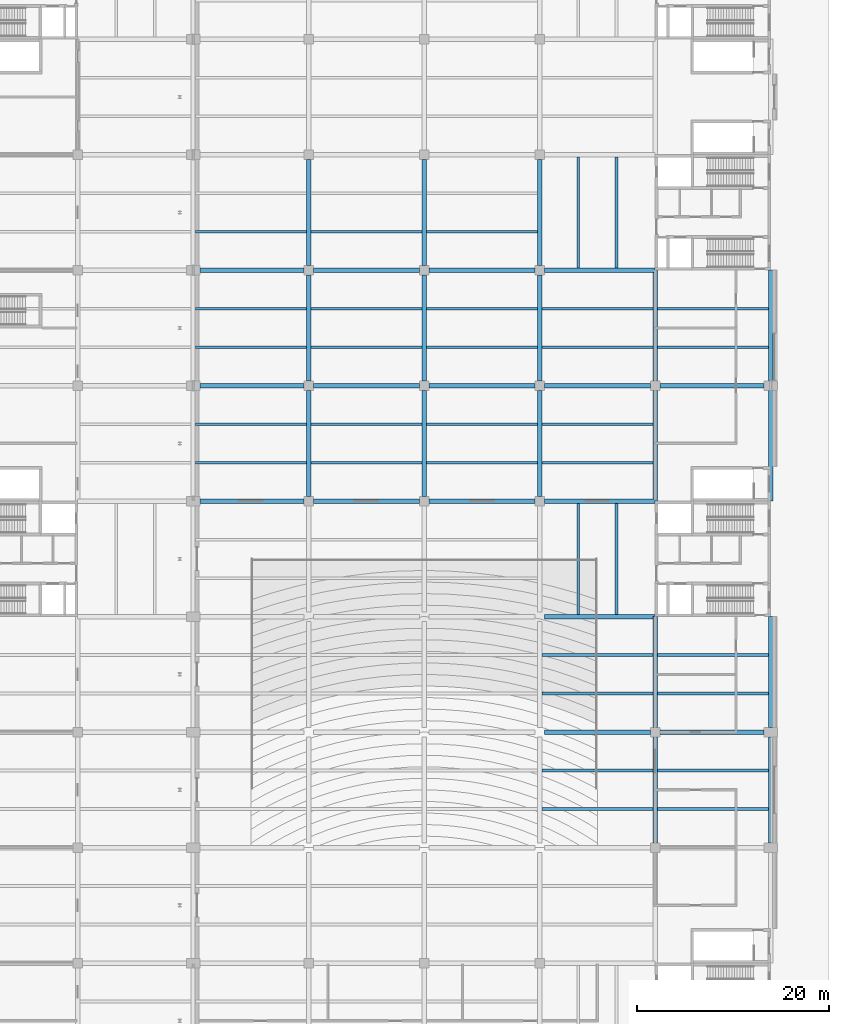
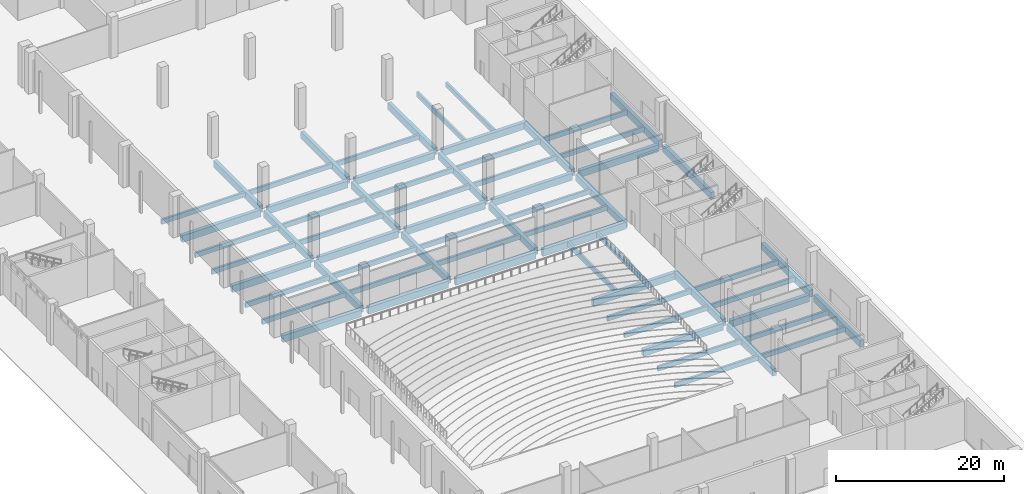
# One storey, part 17 of 59: 66 beams.
"""IFC4 building model written with IfcOpenShell, lengths in metres."""

import ifcopenshell
import ifcopenshell.guid

model = None  # the IFC model being written
_history = None  # IfcOwnerHistory: only IFC2X3 demands one
_inside = {}  # id of a spatial element -> (the spatial element, [elements in it])
_under = {}  # id of a project, library or spatial element -> (it, [spatial elements below it])
_declared = {}  # id of a project -> (the project, [libraries it declares])
_typed = {}  # id of a type object -> (the type object, [elements of that type])
_made_of = {}  # id of a material, layer set ... -> (it, [elements and type objects made of it])


def new_model(schema):
    """Start an empty IFC model of exactly this schema.

    Asked for "IFC4X3", IfcOpenShell would pick the latest addendum, in which some entities
    have other attributes; the version numbers below select the first issue.
    IFC2X3 requires an IfcOwnerHistory on every rooted entity: one is made here for all.
    """
    global model, _history
    if schema == "IFC4X3":
        model = ifcopenshell.file(schema_version=(4, 3, 0, 0))
    else:
        model = ifcopenshell.file(schema=schema)
    _inside.clear()
    _under.clear()
    _declared.clear()
    _typed.clear()
    _made_of.clear()
    _history = None
    if model.schema == "IFC2X3":
        org = make("IfcOrganization", Name="unknown")
        user = make(
            "IfcPersonAndOrganization",
            ThePerson=make("IfcPerson", FamilyName="unknown"),
            TheOrganization=org,
        )
        app = make(
            "IfcApplication",
            ApplicationDeveloper=org,
            Version="unknown",
            ApplicationFullName="unknown",
            ApplicationIdentifier="unknown",
        )
        _history = make(
            "IfcOwnerHistory",
            OwningUser=user,
            OwningApplication=app,
            ChangeAction="ADDED",
            CreationDate=0,
        )
    return model


def make(cls, **values):
    """One entity of the class cls with the attributes given. An attribute that is None is left unset."""
    return model.create_entity(
        cls, **{name: value for name, value in values.items() if value is not None}
    )


def rooted(cls, **values):
    """An entity with a GlobalId (a new one), such as an element, a storey or a relation."""
    return make(cls, GlobalId=ifcopenshell.guid.new(), OwnerHistory=_history, **values)


def si_unit(unit_type, name, prefix=None):
    """IfcSIUnit, for example si_unit("LENGTHUNIT", "METRE", prefix="MILLI")."""
    return make("IfcSIUnit", UnitType=unit_type, Prefix=prefix, Name=name)


def assignment(units):
    """IfcUnitAssignment: the units of a project."""
    return None if units is None else make("IfcUnitAssignment", Units=units)


def point(xyz):
    """IfcCartesianPoint."""
    return None if xyz is None else make("IfcCartesianPoint", Coordinates=xyz)


def direction(xyz):
    """IfcDirection."""
    return None if xyz is None else make("IfcDirection", DirectionRatios=xyz)


def frame(location, z_axis=None, x_axis=None):
    """IfcAxis2Placement3D, a coordinate frame: its origin and axes. An axis left out is left unset."""
    return make(
        "IfcAxis2Placement3D",
        Location=point(location),
        Axis=direction(z_axis),
        RefDirection=direction(x_axis),
    )


def frame_2d(location, x_axis=None):
    """IfcAxis2Placement2D, a coordinate frame in the plane: its origin and x axis."""
    return make(
        "IfcAxis2Placement2D", Location=point(location), RefDirection=direction(x_axis)
    )


def origin():
    """The frame at (0, 0, 0) with its axes left unset."""
    return frame((0.0, 0.0, 0.0))


def origin_2d():
    """The frame at (0, 0) in the plane with its x axis left unset."""
    return frame_2d((0.0, 0.0))


def place(relative_to, where):
    """IfcLocalPlacement: puts the frame where relative to a parent placement (None: the world)."""
    return make(
        "IfcLocalPlacement", PlacementRelTo=relative_to, RelativePlacement=where
    )


def context(
    kind, dimensions, precision=None, world=None, true_north=None, identifier=None
):
    """IfcGeometricRepresentationContext, for example the 3D "Model" context."""
    return make(
        "IfcGeometricRepresentationContext",
        ContextIdentifier=identifier,
        ContextType=kind,
        CoordinateSpaceDimension=dimensions,
        Precision=precision,
        WorldCoordinateSystem=world,
        TrueNorth=true_north,
    )


def subcontext(parent, identifier, kind, view, scale=None):
    """IfcGeometricRepresentationSubContext, for example "Body" below "Model"."""
    return make(
        "IfcGeometricRepresentationSubContext",
        ContextIdentifier=identifier,
        ContextType=kind,
        ParentContext=parent,
        TargetScale=scale,
        TargetView=view,
    )


def project(units=None, contexts=None):
    """IfcProject with its units and contexts."""
    return rooted(
        "IfcProject",
        Name="project",
        RepresentationContexts=contexts,
        UnitsInContext=assignment(units),
    )


def spatial(cls, under=None, at=None, **own):
    """A site, building, storey or space (cls), placed at a placement, below another one or the project."""
    s = rooted(cls, ObjectPlacement=at, **own)
    if under is not None:
        _under.setdefault(under.id(), (under, []))[1].append(s)
    return s


def profile(cls, at=None, kind="AREA", **sizes):
    """A parametric profile (cls). Its sizes go by their IFC names, for example OverallWidth=200.0."""
    return make(cls, ProfileType=kind, Position=at, **sizes)


def rectangle(**sizes):
    """IfcRectangleProfileDef."""
    return profile("IfcRectangleProfileDef", **sizes)


def extrude(swept, where, along, depth):
    """IfcExtrudedAreaSolid: the profile swept, set in the frame where, extruded along a direction by depth."""
    return make(
        "IfcExtrudedAreaSolid",
        SweptArea=swept,
        Position=where,
        ExtrudedDirection=direction(along),
        Depth=depth,
    )


def shape(context_of_items, identifier, shape_type, items):
    """IfcShapeRepresentation: the items that make up one representation, for example the "Body"."""
    return make(
        "IfcShapeRepresentation",
        ContextOfItems=context_of_items,
        RepresentationIdentifier=identifier,
        RepresentationType=shape_type,
        Items=items,
    )


def material(Name=None, Category=None):
    """IfcMaterial."""
    return make("IfcMaterial", Name=Name, Category=Category)


def material_profile(
    of_material, cross_section, Name=None, Category=None, Priority=None
):
    """IfcMaterialProfile: a cross section and its material."""
    return make(
        "IfcMaterialProfile",
        Name=Name,
        Material=of_material,
        Profile=cross_section,
        Priority=Priority,
        Category=Category,
    )


def profile_set(profiles, Name=None, composite=None):
    """IfcMaterialProfileSet."""
    return make(
        "IfcMaterialProfileSet",
        Name=Name,
        MaterialProfiles=profiles,
        CompositeProfile=composite,
    )


def made_of(thing, what):
    """Note that an element or type object is made of a material, layer set ...; save() writes the relation."""
    if what is not None:
        _made_of.setdefault(what.id(), (what, []))[1].append(thing)
    return thing


def type_object(cls, material=None, **own):
    """A type object (cls), such as IfcWallType, which elements share."""
    return made_of(rooted(cls, **own), material)


def element(
    cls,
    number,
    at=None,
    inside=None,
    cuts=None,
    type_object=None,
    material=None,
    context=None,
    identifier="Body",
    shape_type=None,
    held_by="IfcProductDefinitionShape",
    body=None,
    shapes=None,
    **own,
):
    """One element of the class cls, such as IfcWall. Its Tag is "e" and its number.

    at: its placement. inside: the storey or other place that contains it. cuts: it is an
    opening in that element (IfcRelVoidsElement). A single representation is given by context,
    identifier, shape_type and body (its items); several are given by shapes. held_by: the class
    of the entity that holds the representations. save() writes the other relations.
    """
    e = rooted(cls, Tag="e%d" % number, ObjectPlacement=at, **own)
    if body is not None:
        shapes = [shape(context, identifier, shape_type, body)]
    if shapes is not None:
        e.Representation = make(held_by, Representations=shapes)
    if inside is not None:
        _inside.setdefault(inside.id(), (inside, []))[1].append(e)
    if cuts is not None:
        rooted(
            "IfcRelVoidsElement", RelatingBuildingElement=cuts, RelatedOpeningElement=e
        )
    if type_object is not None:
        _typed.setdefault(type_object.id(), (type_object, []))[1].append(e)
    return made_of(e, material)


def aggregate(whole, parts):
    """IfcRelAggregates: a whole, such as a stair, and the parts it consists of."""
    return rooted("IfcRelAggregates", RelatingObject=whole, RelatedObjects=parts)


def save(model, path):
    """Write the relations noted so far, then the file.

    IfcRelAggregates (storeys below a building ...), IfcRelContainedInSpatialStructure (elements
    in a storey), IfcRelDefinesByType, IfcRelAssociatesMaterial and IfcRelDeclares: one each for
    every whole, place, type object, material and project.
    """
    for whole, parts in _under.values():
        aggregate(whole, parts)
    for where, things in _inside.values():
        rooted(
            "IfcRelContainedInSpatialStructure",
            RelatedElements=things,
            RelatingStructure=where,
        )
    for kind, things in _typed.values():
        rooted("IfcRelDefinesByType", RelatedObjects=things, RelatingType=kind)
    for what, things in _made_of.values():
        rooted("IfcRelAssociatesMaterial", RelatedObjects=things, RelatingMaterial=what)
    for by, libraries in _declared.values():
        rooted("IfcRelDeclares", RelatingContext=by, RelatedDefinitions=libraries)
    model.write(path)


model = new_model("IFC4")

# Units and contexts
model_context = context("Model", 3, precision=1e-05, world=origin(), true_north=direction((0.0, 1.0)))
body_context = subcontext(model_context, "Body", "Model", "MODEL_VIEW")
ifc_project = project(units=[si_unit("LENGTHUNIT", "METRE"), si_unit("AREAUNIT", "SQUARE_METRE"), si_unit("VOLUMEUNIT", "CUBIC_METRE"), si_unit("PLANEANGLEUNIT", "RADIAN"), si_unit("MASSUNIT", "GRAM", prefix="KILO")], contexts=[model_context])

# Site, building, storey
site_placement = place(None, origin())
site = spatial("IfcSite", under=ifc_project, at=site_placement, CompositionType="ELEMENT")
building_placement = place(site_placement, origin())
building = spatial("IfcBuilding", under=site, at=building_placement, Name="Lilac Gate Convention Centre", CompositionType="ELEMENT")
storey_placement = place(building_placement, origin())
storey = spatial("IfcBuildingStorey", under=building, at=storey_placement, Name="L00", CompositionType="ELEMENT", Elevation=0.0)

# Beams
ifc_material = material(Name="Concrete C40", Category="concrete")
ifc_material_profile_1 = material_profile(ifc_material, rectangle(XDim=0.5, YDim=1.0, at=origin_2d()), Name="RC 500x1000")
ifc_profile_set_1 = profile_set([ifc_material_profile_1], Name="Concrete C40")
beam_type_1 = type_object("IfcBeamType", Name="Primary beam 500x1000 C40", PredefinedType="BEAM", material=ifc_profile_set_1)
beam_1_placement = place(storey_placement, frame((66.5, 138.0, -0.800048828125), z_axis=(1.0, 0.0, 0.0), x_axis=(0.0, 1.0, 0.0)))
element("IfcBeam", 1, at=beam_1_placement, inside=storey, type_object=beam_type_1, Name="RB1 L00 6/K-7/K", PredefinedType="BEAM", context=body_context, shape_type="SweptSolid", body=[
    extrude(rectangle(XDim=0.5, YDim=1.0, at=origin_2d()), origin(), (0.0, 0.0, 1.0), 11.0),
])
beam_2_placement = place(storey_placement, frame((78.5, 138.0, -0.800048828125), z_axis=(1.0, 0.0, 0.0), x_axis=(0.0, 1.0, 0.0)))
element("IfcBeam", 2, at=beam_2_placement, inside=storey, type_object=beam_type_1, Name="RB1 L00 7/K-8/K", PredefinedType="BEAM", context=body_context, shape_type="SweptSolid", body=[
    extrude(rectangle(XDim=0.5, YDim=1.0, at=origin_2d()), origin(), (0.0, 0.0, 1.0), 10.800048828125),
])
beam_3_placement = place(storey_placement, frame((66.5, 150.0, -0.800048828125), z_axis=(1.0, 0.0, 0.0), x_axis=(0.0, 1.0, 0.0)))
element("IfcBeam", 3, at=beam_3_placement, inside=storey, type_object=beam_type_1, Name="RB1 L00 6/L-7/L", PredefinedType="BEAM", context=body_context, shape_type="SweptSolid", body=[
    extrude(rectangle(XDim=0.5, YDim=1.0, at=origin_2d()), origin(), (0.0, 0.0, 1.0), 11.5),
])
beam_4_placement = place(storey_placement, frame((30.699951171875, 162.0, -0.800048828125), z_axis=(1.0, 0.0, 0.0), x_axis=(0.0, 1.0, 0.0)))
element("IfcBeam", 4, at=beam_4_placement, inside=storey, type_object=beam_type_1, Name="RB1 L00 3/M-4/M", PredefinedType="BEAM", context=body_context, shape_type="SweptSolid", body=[
    extrude(rectangle(XDim=0.5, YDim=1.0, at=origin_2d()), origin(), (0.0, 0.0, 1.0), 10.800048828125),
])
for number, where, z_axis, x_axis, name in (
    (5, (42.5, 162.0, -0.800048828125), (1.0, 0.0, 0.0), (0.0, 1.0, 0.0), "RB1 L00 4/M-5/M"),
    (6, (54.5, 162.0, -0.800048828125), (1.0, 0.0, 0.0), (0.0, 1.0, 0.0), "RB1 L00 5/M-6/M"),
):
    element("IfcBeam", number, at=place(storey_placement, frame(where, z_axis=z_axis, x_axis=x_axis)), inside=storey, type_object=beam_type_1, Name=name, PredefinedType="BEAM", context=body_context, shape_type="SweptSolid", body=[
        extrude(rectangle(XDim=0.5, YDim=1.0, at=origin_2d()), origin(), (0.0, 0.0, 1.0), 11.0),
    ])
beam_5_placement = place(storey_placement, frame((66.5, 162.0, -0.800048828125), z_axis=(1.0, 0.0, 0.0), x_axis=(0.0, 1.0, 0.0)))
element("IfcBeam", 7, at=beam_5_placement, inside=storey, type_object=beam_type_1, Name="RB1 L00 6/M-7/M", PredefinedType="BEAM", context=body_context, shape_type="SweptSolid", body=[
    extrude(rectangle(XDim=0.5, YDim=1.0, at=origin_2d()), origin(), (0.0, 0.0, 1.0), 11.5),
])
beam_6_placement = place(storey_placement, frame((30.699951171875, 174.0, -0.800048828125), z_axis=(1.0, 0.0, 0.0), x_axis=(0.0, 1.0, 0.0)))
element("IfcBeam", 8, at=beam_6_placement, inside=storey, type_object=beam_type_1, Name="RB1 L00 3/N-4/N", PredefinedType="BEAM", context=body_context, shape_type="SweptSolid", body=[
    extrude(rectangle(XDim=0.5, YDim=1.0, at=origin_2d()), origin(), (0.0, 0.0, 1.0), 10.800048828125),
])
for number, where, z_axis, x_axis, name in (
    (9, (42.5, 174.0, -0.800048828125), (1.0, 0.0, 0.0), (0.0, 1.0, 0.0), "RB1 L00 4/N-5/N"),
    (10, (54.5, 174.0, -0.800048828125), (1.0, 0.0, 0.0), (0.0, 1.0, 0.0), "RB1 L00 5/N-6/N"),
    (11, (66.5, 174.0, -0.800048828125), (1.0, 0.0, 0.0), (0.0, 1.0, 0.0), "RB1 L00 6/N-7/N"),
):
    element("IfcBeam", number, at=place(storey_placement, frame(where, z_axis=z_axis, x_axis=x_axis)), inside=storey, type_object=beam_type_1, Name=name, PredefinedType="BEAM", context=body_context, shape_type="SweptSolid", body=[
        extrude(rectangle(XDim=0.5, YDim=1.0, at=origin_2d()), origin(), (0.0, 0.0, 1.0), 11.0),
    ])
for number, where, z_axis, x_axis, name in (
    (12, (78.5, 174.0, -0.800048828125), (1.0, 0.0, 0.0), (0.0, 1.0, 0.0), "RB1 L00 7/N-8/N"),
    (13, (30.699951171875, 186.0, -0.800048828125), (1.0, 0.0, 0.0), (0.0, 1.0, 0.0), "RB1 L00 3/P-4/P"),
):
    element("IfcBeam", number, at=place(storey_placement, frame(where, z_axis=z_axis, x_axis=x_axis)), inside=storey, type_object=beam_type_1, Name=name, PredefinedType="BEAM", context=body_context, shape_type="SweptSolid", body=[
        extrude(rectangle(XDim=0.5, YDim=1.0, at=origin_2d()), origin(), (0.0, 0.0, 1.0), 10.800048828125),
    ])
for number, where, z_axis, x_axis, name in (
    (14, (42.5, 186.0, -0.800048828125), (1.0, 0.0, 0.0), (0.0, 1.0, 0.0), "RB1 L00 4/P-5/P"),
    (15, (54.5, 186.0, -0.800048828125), (1.0, 0.0, 0.0), (0.0, 1.0, 0.0), "RB1 L00 5/P-6/P"),
):
    element("IfcBeam", number, at=place(storey_placement, frame(where, z_axis=z_axis, x_axis=x_axis)), inside=storey, type_object=beam_type_1, Name=name, PredefinedType="BEAM", context=body_context, shape_type="SweptSolid", body=[
        extrude(rectangle(XDim=0.5, YDim=1.0, at=origin_2d()), origin(), (0.0, 0.0, 1.0), 11.0),
    ])
beam_7_placement = place(storey_placement, frame((66.5, 186.0, -0.800048828125), z_axis=(1.0, 0.0, 0.0), x_axis=(0.0, 1.0, 0.0)))
element("IfcBeam", 16, at=beam_7_placement, inside=storey, type_object=beam_type_1, Name="RB1 L00 6/P-7/P", PredefinedType="BEAM", context=body_context, shape_type="SweptSolid", body=[
    extrude(rectangle(XDim=0.5, YDim=1.0, at=origin_2d()), origin(), (0.0, 0.0, 1.0), 11.5),
])
for number, where, z_axis, x_axis, name in (
    (17, (42.0, 162.5, -0.800048828125), (0.0, 1.0, 0.0), (-1.0, 0.0, 0.0), "RB1 L00 4/M-4/N"),
    (18, (42.0, 174.5, -0.800048828125), (0.0, 1.0, 0.0), (-1.0, 0.0, 0.0), "RB1 L00 4/N-4/P"),
    (19, (42.0, 186.5, -0.800048828125), (0.0, 1.0, 0.0), (-1.0, 0.0, 0.0), "RB1 L00 4/P-4/Q"),
    (20, (54.0, 162.5, -0.800048828125), (0.0, 1.0, 0.0), (-1.0, 0.0, 0.0), "RB1 L00 5/M-5/N"),
    (21, (54.0, 174.5, -0.800048828125), (0.0, 1.0, 0.0), (-1.0, 0.0, 0.0), "RB1 L00 5/N-5/P"),
    (22, (54.0, 186.5, -0.800048828125), (0.0, 1.0, 0.0), (-1.0, 0.0, 0.0), "RB1 L00 5/P-5/Q"),
    (23, (66.0, 162.5, -0.800048828125), (0.0, 1.0, 0.0), (-1.0, 0.0, 0.0), "RB1 L00 6/M-6/N"),
    (24, (66.0, 174.5, -0.800048828125), (0.0, 1.0, 0.0), (-1.0, 0.0, 0.0), "RB1 L00 6/N-6/P"),
    (25, (66.0, 186.5, -0.800048828125), (0.0, 1.0, 0.0), (-1.0, 0.0, 0.0), "RB1 L00 6/P-6/Q"),
    (26, (78.0, 126.5, -0.800048828125), (0.0, 1.0, 0.0), (-1.0, 0.0, 0.0), "RB1 L00 7/J-7/K"),
):
    element("IfcBeam", number, at=place(storey_placement, frame(where, z_axis=z_axis, x_axis=x_axis)), inside=storey, type_object=beam_type_1, Name=name, PredefinedType="BEAM", context=body_context, shape_type="SweptSolid", body=[
        extrude(rectangle(XDim=0.5, YDim=1.0, at=origin_2d()), origin(), (0.0, 0.0, 1.0), 11.0),
    ])
for number, where, z_axis, x_axis, name in (
    (27, (78.0, 138.5, -0.800048828125), (0.0, 1.0, 0.0), (-1.0, 0.0, 0.0), "RB1 L00 7/K-7/L"),
    (28, (78.0, 162.0, -0.800048828125), (0.0, 1.0, 0.0), (-1.0, 0.0, 0.0), "RB1 L00 7/M-7/N"),
    (29, (78.0, 174.5, -0.800048828125), (0.0, 1.0, 0.0), (-1.0, 0.0, 0.0), "RB1 L00 7/N-7/P"),
):
    element("IfcBeam", number, at=place(storey_placement, frame(where, z_axis=z_axis, x_axis=x_axis)), inside=storey, type_object=beam_type_1, Name=name, PredefinedType="BEAM", context=body_context, shape_type="SweptSolid", body=[
        extrude(rectangle(XDim=0.5, YDim=1.0, at=origin_2d()), origin(), (0.0, 0.0, 1.0), 11.5),
    ])
beam_8_placement = place(storey_placement, frame((90.0, 126.5, -0.800048828125), z_axis=(0.0, 1.0, 0.0), x_axis=(-1.0, 0.0, 0.0)))
element("IfcBeam", 30, at=beam_8_placement, inside=storey, type_object=beam_type_1, Name="RB1 L00 8/J-8/K", PredefinedType="BEAM", context=body_context, shape_type="SweptSolid", body=[
    extrude(rectangle(XDim=0.5, YDim=1.0, at=origin_2d()), origin(), (0.0, 0.0, 1.0), 11.0),
])
for number, where, z_axis, x_axis, name in (
    (31, (90.0, 138.5, -0.800048828125), (0.0, 1.0, 0.0), (-1.0, 0.0, 0.0), "RB1 L00 8/K-8/L"),
    (32, (90.0, 162.0, -0.800048828125), (0.0, 1.0, 0.0), (-1.0, 0.0, 0.0), "RB1 L00 8/M-8/N"),
    (33, (90.0, 174.5, -0.800048828125), (0.0, 1.0, 0.0), (-1.0, 0.0, 0.0), "RB1 L00 8/N-8/P"),
):
    element("IfcBeam", number, at=place(storey_placement, frame(where, z_axis=z_axis, x_axis=x_axis)), inside=storey, type_object=beam_type_1, Name=name, PredefinedType="BEAM", context=body_context, shape_type="SweptSolid", body=[
        extrude(rectangle(XDim=0.5, YDim=1.0, at=origin_2d()), origin(), (0.0, 0.0, 1.0), 11.5),
    ])
ifc_material_profile_2 = material_profile(ifc_material, rectangle(XDim=0.300048828125, YDim=0.699951171875, at=origin_2d()), Name="RC 300x700")
ifc_profile_set_2 = profile_set([ifc_material_profile_2], Name="Concrete C40")
beam_type_2 = type_object("IfcBeamType", Name="Secondary beam 300x700 C40", PredefinedType="BEAM", material=ifc_profile_set_2)
for number, where, z_axis, x_axis, name in (
    (34, (30.25, 166.0, -0.64990234375), (1.0, 0.0, 0.0), (0.0, 1.0, 0.0), "RB2 L00 bay 3/M"),
    (35, (30.25, 170.0, -0.64990234375), (1.0, 0.0, 0.0), (0.0, 1.0, 0.0), "RB2 L00 bay 3/M"),
    (36, (30.25, 178.0, -0.64990234375), (1.0, 0.0, 0.0), (0.0, 1.0, 0.0), "RB2 L00 bay 3/N"),
    (37, (30.25, 182.0, -0.64990234375), (1.0, 0.0, 0.0), (0.0, 1.0, 0.0), "RB2 L00 bay 3/N"),
    (38, (30.25, 190.0, -0.64990234375), (1.0, 0.0, 0.0), (0.0, 1.0, 0.0), "RB2 L00 bay 3/P"),
    (39, (42.25, 166.0, -0.64990234375), (1.0, 0.0, 0.0), (0.0, 1.0, 0.0), "RB2 L00 bay 4/M"),
    (40, (42.25, 170.0, -0.64990234375), (1.0, 0.0, 0.0), (0.0, 1.0, 0.0), "RB2 L00 bay 4/M"),
    (41, (42.25, 178.0, -0.64990234375), (1.0, 0.0, 0.0), (0.0, 1.0, 0.0), "RB2 L00 bay 4/N"),
    (42, (42.25, 182.0, -0.64990234375), (1.0, 0.0, 0.0), (0.0, 1.0, 0.0), "RB2 L00 bay 4/N"),
    (43, (42.25, 190.0, -0.64990234375), (1.0, 0.0, 0.0), (0.0, 1.0, 0.0), "RB2 L00 bay 4/P"),
    (44, (54.25, 166.0, -0.64990234375), (1.0, 0.0, 0.0), (0.0, 1.0, 0.0), "RB2 L00 bay 5/M"),
    (45, (54.25, 170.0, -0.64990234375), (1.0, 0.0, 0.0), (0.0, 1.0, 0.0), "RB2 L00 bay 5/M"),
    (46, (54.25, 178.0, -0.64990234375), (1.0, 0.0, 0.0), (0.0, 1.0, 0.0), "RB2 L00 bay 5/N"),
    (47, (54.25, 182.0, -0.64990234375), (1.0, 0.0, 0.0), (0.0, 1.0, 0.0), "RB2 L00 bay 5/N"),
    (48, (54.25, 190.0, -0.64990234375), (1.0, 0.0, 0.0), (0.0, 1.0, 0.0), "RB2 L00 bay 5/P"),
    (49, (66.25, 130.0, -0.64990234375), (1.0, 0.0, 0.0), (0.0, 1.0, 0.0), "RB2 L00 bay 6/J"),
    (50, (66.25, 134.0, -0.64990234375), (1.0, 0.0, 0.0), (0.0, 1.0, 0.0), "RB2 L00 bay 6/J"),
    (51, (66.25, 142.0, -0.64990234375), (1.0, 0.0, 0.0), (0.0, 1.0, 0.0), "RB2 L00 bay 6/K"),
    (52, (66.25, 146.0, -0.64990234375), (1.0, 0.0, 0.0), (0.0, 1.0, 0.0), "RB2 L00 bay 6/K"),
    (53, (70.0, 150.25, -0.64990234375), (0.0, 1.0, 0.0), (-1.0, 0.0, 0.0), "RB2 L00 bay 6/L"),
    (54, (74.0, 150.25, -0.64990234375), (0.0, 1.0, 0.0), (-1.0, 0.0, 0.0), "RB2 L00 bay 6/L"),
    (55, (66.25, 166.0, -0.64990234375), (1.0, 0.0, 0.0), (0.0, 1.0, 0.0), "RB2 L00 bay 6/M"),
    (56, (66.25, 170.0, -0.64990234375), (1.0, 0.0, 0.0), (0.0, 1.0, 0.0), "RB2 L00 bay 6/M"),
    (57, (66.25, 178.0, -0.64990234375), (1.0, 0.0, 0.0), (0.0, 1.0, 0.0), "RB2 L00 bay 6/N"),
    (58, (66.25, 182.0, -0.64990234375), (1.0, 0.0, 0.0), (0.0, 1.0, 0.0), "RB2 L00 bay 6/N"),
    (59, (70.0, 186.25, -0.64990234375), (0.0, 1.0, 0.0), (-1.0, 0.0, 0.0), "RB2 L00 bay 6/P"),
    (60, (74.0, 186.25, -0.64990234375), (0.0, 1.0, 0.0), (-1.0, 0.0, 0.0), "RB2 L00 bay 6/P"),
    (61, (78.25, 130.0, -0.64990234375), (1.0, 0.0, 0.0), (0.0, 1.0, 0.0), "RB2 L00 bay 7/J"),
    (62, (78.25, 134.0, -0.64990234375), (1.0, 0.0, 0.0), (0.0, 1.0, 0.0), "RB2 L00 bay 7/J"),
    (63, (78.25, 142.0, -0.64990234375), (1.0, 0.0, 0.0), (0.0, 1.0, 0.0), "RB2 L00 bay 7/K"),
    (64, (78.25, 146.0, -0.64990234375), (1.0, 0.0, 0.0), (0.0, 1.0, 0.0), "RB2 L00 bay 7/K"),
    (65, (78.25, 178.0, -0.64990234375), (1.0, 0.0, 0.0), (0.0, 1.0, 0.0), "RB2 L00 bay 7/N"),
    (66, (78.25, 182.0, -0.64990234375), (1.0, 0.0, 0.0), (0.0, 1.0, 0.0), "RB2 L00 bay 7/N"),
):
    element("IfcBeam", number, at=place(storey_placement, frame(where, z_axis=z_axis, x_axis=x_axis)), inside=storey, type_object=beam_type_2, Name=name, PredefinedType="BEAM", context=body_context, shape_type="SweptSolid", body=[
        extrude(rectangle(XDim=0.300048828125, YDim=0.699951171875, at=origin_2d()), origin(), (0.0, 0.0, 1.0), 11.5),
    ])

save(model, "model.ifc")
